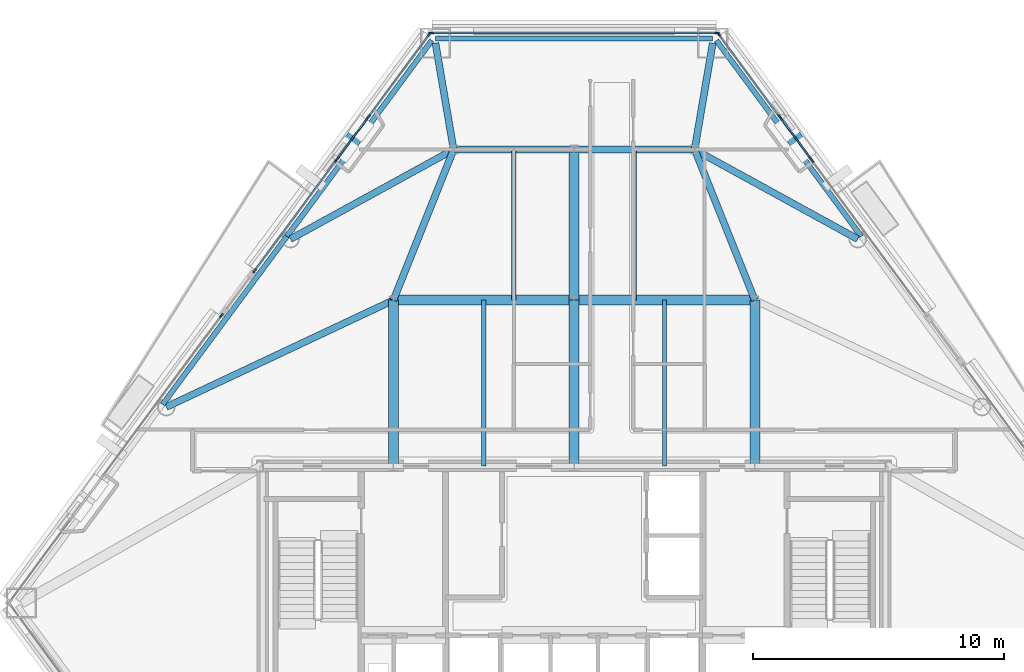
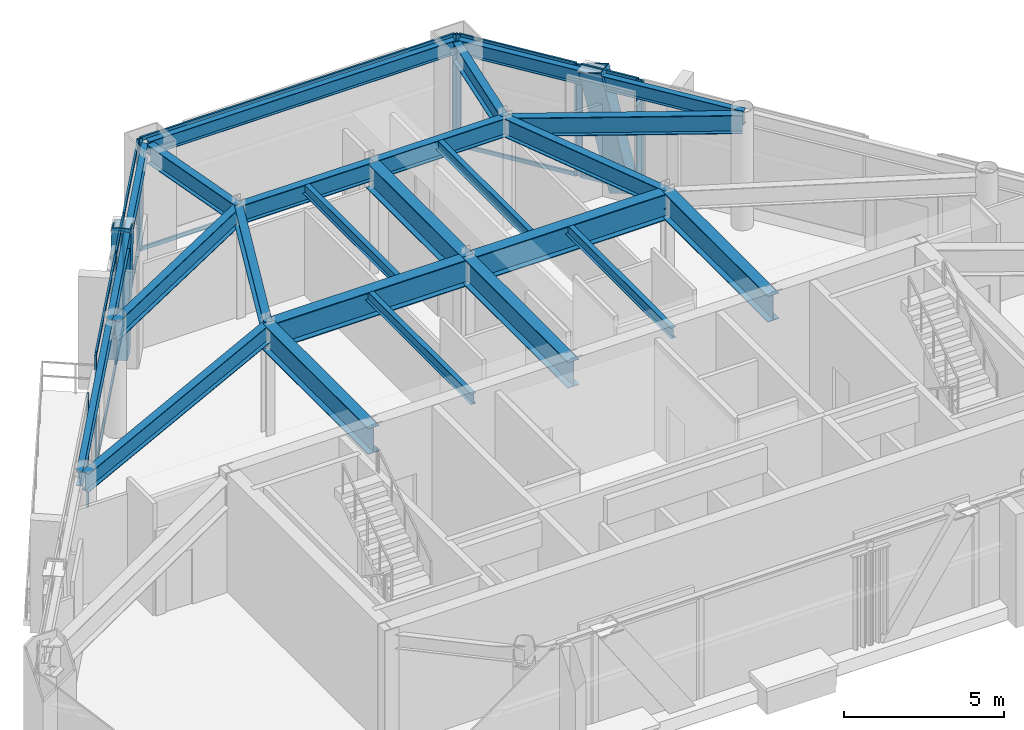
# One storey, part 4 of 11: 28 members, 23 beams, 8 elements without a shape of their own.
"""IFC4 building model written with IfcOpenShell, lengths in metres."""

from ifc_helpers import new_model, si_unit, direction, frame, origin, origin_2d, place, context, subcontext, project, spatial, rectangle, hollow_rectangle, i_section, extrude, material, layer, layer_set, material_profile, profile_set, type_object, element, aggregate, save


model = new_model("IFC4")

# Units and contexts
model_context = context("Model", 3, precision=1e-05, world=origin(), true_north=direction((0.0, 1.0)))
body_context = subcontext(model_context, "Body", "Model", "MODEL_VIEW")
ifc_project = project(units=[si_unit("LENGTHUNIT", "METRE"), si_unit("AREAUNIT", "SQUARE_METRE"), si_unit("VOLUMEUNIT", "CUBIC_METRE"), si_unit("PLANEANGLEUNIT", "RADIAN"), si_unit("MASSUNIT", "GRAM", prefix="KILO")], contexts=[model_context])

# Site, building, storey
site_placement = place(None, origin())
site = spatial("IfcSite", under=ifc_project, at=site_placement, CompositionType="ELEMENT")
building_placement = place(site_placement, origin())
building = spatial("IfcBuilding", under=site, at=building_placement, Name="Talgorran Terracotta Tower", CompositionType="ELEMENT")
storey_placement = place(building_placement, frame((0.0, 0.0, 117.60009765625)))
storey = spatial("IfcBuildingStorey", under=building, at=storey_placement, Name="L30", CompositionType="ELEMENT", Elevation=117.60009765625)

# Beams
ifc_material_1 = material(Name="Steel Grade 350 (350L0)", Category="steel")
ifc_material_profile_1 = material_profile(ifc_material_1, i_section(OverallWidth=0.39990234375, OverallDepth=1.0, WebThickness=0.01611328125, FlangeThickness=0.031005859375, at=origin_2d()), Name="1000WB296")
ifc_profile_set_1 = profile_set([ifc_material_profile_1], Name="Steel Grade 350 (350L0)")
beam_type_1 = type_object("IfcBeamType", Name="BM_1000WB296", PredefinedType="BEAM", material=ifc_profile_set_1)
for number, where, z_axis, x_axis, name in (
    (1, (-7.199951171875, -4.199951171875, 3.75), (0.0, 1.0, 0.0), (-1.0, 0.0, 0.0), "L30 Floor Girder G01"),
    (2, (0.0, -4.199951171875, 3.75), (0.0, 1.0, 0.0), (-1.0, 0.0, 0.0), "L30 Floor Girder G02"),
    (3, (7.199951171875, -4.199951171875, 3.75), (0.0, 1.0, 0.0), (-1.0, 0.0, 0.0), "L30 Floor Girder G03"),
):
    element("IfcBeam", number, at=place(storey_placement, frame(where, z_axis=z_axis, x_axis=x_axis)), inside=storey, type_object=beam_type_1, Name=name, PredefinedType="BEAM", context=body_context, shape_type="SweptSolid", body=[
        extrude(i_section(OverallWidth=0.39990234375, OverallDepth=1.0, WebThickness=0.01611328125, FlangeThickness=0.031005859375, at=origin_2d()), origin(), (0.0, 0.0, 1.0), 6.599853515625),
    ])
for number, where, z_axis, x_axis, name in (
    (4, (-7.199951171875, 2.39990234375, 3.75), (1.0, 0.0, 0.0), (0.0, 1.0, 0.0), "L30 Floor Girder G04"),
    (5, (0.0, 2.39990234375, 3.75), (1.0, 0.0, 0.0), (0.0, 1.0, 0.0), "L30 Floor Girder G05"),
):
    element("IfcBeam", number, at=place(storey_placement, frame(where, z_axis=z_axis, x_axis=x_axis)), inside=storey, type_object=beam_type_1, Name=name, PredefinedType="BEAM", context=body_context, shape_type="SweptSolid", body=[
        extrude(i_section(OverallWidth=0.39990234375, OverallDepth=1.0, WebThickness=0.01611328125, FlangeThickness=0.031005859375, at=origin_2d()), origin(), (0.0, 0.0, 1.0), 7.199951171875),
    ])
beam_1_placement = place(storey_placement, frame((0.0, 2.39990234375, 3.75), z_axis=(0.0, 1.0, 0.0), x_axis=(-1.0, 0.0, 0.0)))
element("IfcBeam", 6, at=beam_1_placement, inside=storey, type_object=beam_type_1, Name="L30 Floor Girder G09", PredefinedType="BEAM", context=body_context, shape_type="SweptSolid", body=[
    extrude(i_section(OverallWidth=0.39990234375, OverallDepth=1.0, WebThickness=0.01611328125, FlangeThickness=0.031005859375, at=origin_2d()), origin(), (0.0, 0.0, 1.0), 6.0),
])
ifc_material_2 = material(Name="Steel S355 (300PLUS)", Category="steel")
ifc_material_profile_2 = material_profile(ifc_material_2, i_section(OverallWidth=0.27490234375, OverallDepth=0.7080078125, WebThickness=0.011962890625, FlangeThickness=0.02490234375, at=origin_2d()), Name="700WB173")
ifc_profile_set_2 = profile_set([ifc_material_profile_2], Name="Steel S355 (300PLUS)")
beam_type_2 = type_object("IfcBeamType", Name="BM_700WB173", PredefinedType="BEAM", material=ifc_profile_set_2)
beam_2_placement = place(storey_placement, frame((-7.199951171875, 2.39990234375, 3.89599609375), z_axis=(-0.904850249914, -0.425729990992, 0.0), x_axis=(0.425729990992, -0.904850249914, 0.0)))
element("IfcBeam", 7, at=beam_2_placement, inside=storey, type_object=beam_type_2, Name="L30 Floor Girder G06", PredefinedType="BEAM", context=body_context, shape_type="SweptSolid", body=[
    extrude(i_section(OverallWidth=0.27490234375, OverallDepth=0.7080078125, WebThickness=0.011962890625, FlangeThickness=0.02490234375, at=origin_2d()), origin(), (0.0, 0.0, 1.0), 9.99609375),
])
for number, where, z_axis, x_axis, name in (
    (8, (-7.199951171875, 2.39990234375, 3.89599609375), (0.371377648723, 0.928481901832, 0.0), (-0.928481901832, 0.371377648723, 0.0), "L30 Floor Girder G08"),
    (9, (7.199951171875, 2.39990234375, 3.89599609375), (-0.371377648723, 0.928481901832, 0.0), (-0.928481901832, -0.371377648723, 0.0), "L30 Floor Girder G10"),
):
    element("IfcBeam", number, at=place(storey_placement, frame(where, z_axis=z_axis, x_axis=x_axis)), inside=storey, type_object=beam_type_2, Name=name, PredefinedType="BEAM", context=body_context, shape_type="SweptSolid", body=[
        extrude(i_section(OverallWidth=0.27490234375, OverallDepth=0.7080078125, WebThickness=0.011962890625, FlangeThickness=0.02490234375, at=origin_2d()), origin(), (0.0, 0.0, 1.0), 6.462158203125),
    ])
for number, where, z_axis, x_axis, name in (
    (10, (-4.800048828125, 8.39990234375, 3.89599609375), (1.0, 0.0, 0.0), (0.0, 1.0, 0.0), "L30 Floor Girder G11"),
    (11, (0.0, 8.39990234375, 3.89599609375), (1.0, 0.0, 0.0), (0.0, 1.0, 0.0), "L30 Floor Girder G12"),
):
    element("IfcBeam", number, at=place(storey_placement, frame(where, z_axis=z_axis, x_axis=x_axis)), inside=storey, type_object=beam_type_2, Name=name, PredefinedType="BEAM", context=body_context, shape_type="SweptSolid", body=[
        extrude(i_section(OverallWidth=0.27490234375, OverallDepth=0.7080078125, WebThickness=0.011962890625, FlangeThickness=0.02490234375, at=origin_2d()), origin(), (0.0, 0.0, 1.0), 4.800048828125),
    ])
for number, where, z_axis, x_axis, name in (
    (12, (-4.800048828125, 8.39990234375, 3.89599609375), (-0.876707979091, -0.481022992587, 0.0), (0.481022992587, -0.876707979091, 0.0), "L30 Floor Girder G13"),
    (13, (4.800048828125, 8.39990234375, 3.89599609375), (0.876707979091, -0.481022992587, 0.0), (0.481022992587, 0.876707979091, 0.0), "L30 Floor Girder G14"),
):
    element("IfcBeam", number, at=place(storey_placement, frame(where, z_axis=z_axis, x_axis=x_axis)), inside=storey, type_object=beam_type_2, Name=name, PredefinedType="BEAM", context=body_context, shape_type="SweptSolid", body=[
        extrude(i_section(OverallWidth=0.27490234375, OverallDepth=0.7080078125, WebThickness=0.011962890625, FlangeThickness=0.02490234375, at=origin_2d()), origin(), (0.0, 0.0, 1.0), 7.40966796875),
    ])
for number, where, z_axis, x_axis, name in (
    (14, (-4.800048828125, 8.39990234375, 3.89599609375), (-0.167884989688, 0.985806588656, 0.0), (-0.985806588656, -0.167884989688, 0.0), "L30 Floor Girder G15"),
    (15, (4.800048828125, 8.39990234375, 3.89599609375), (0.167884989688, 0.985806588656, 0.0), (-0.985806588656, 0.167884989688, 0.0), "L30 Floor Girder G16"),
):
    element("IfcBeam", number, at=place(storey_placement, frame(where, z_axis=z_axis, x_axis=x_axis)), inside=storey, type_object=beam_type_2, Name=name, PredefinedType="BEAM", context=body_context, shape_type="SweptSolid", body=[
        extrude(i_section(OverallWidth=0.27490234375, OverallDepth=0.7080078125, WebThickness=0.011962890625, FlangeThickness=0.02490234375, at=origin_2d()), origin(), (0.0, 0.0, 1.0), 4.302978515625),
    ])
ifc_material_profile_3 = material_profile(ifc_material_2, i_section(OverallWidth=0.177734375, OverallDepth=0.406494140625, WebThickness=0.0078125, FlangeThickness=0.0126953125, at=origin_2d()), Name="410UB59.7")
ifc_profile_set_3 = profile_set([ifc_material_profile_3], Name="Steel S355 (300PLUS)")
beam_type_3 = type_object("IfcBeamType", Name="BM_JS_410UB60", PredefinedType="JOIST", material=ifc_profile_set_3)
for number, where, z_axis, x_axis, name in (
    (16, (-3.60009765625, -4.199951171875, 4.046630859375), (0.0, 1.0, 0.0), (-1.0, 0.0, 0.0), "L30 Secondary Joist J01"),
    (17, (3.60009765625, -4.199951171875, 4.046630859375), (0.0, 1.0, 0.0), (-1.0, 0.0, 0.0), "L30 Secondary Joist J02"),
):
    element("IfcBeam", number, at=place(storey_placement, frame(where, z_axis=z_axis, x_axis=x_axis)), inside=storey, type_object=beam_type_3, Name=name, PredefinedType="JOIST", context=body_context, shape_type="SweptSolid", body=[
        extrude(i_section(OverallWidth=0.177734375, OverallDepth=0.406494140625, WebThickness=0.0078125, FlangeThickness=0.0126953125, at=origin_2d()), origin(), (0.0, 0.0, 1.0), 6.599853515625),
    ])
for number, where, z_axis, x_axis, name in (
    (18, (-2.39990234375, 2.39990234375, 4.046630859375), (0.0, 1.0, 0.0), (-1.0, 0.0, 0.0), "L30 Secondary Joist J03"),
    (19, (2.39990234375, 2.39990234375, 4.046630859375), (0.0, 1.0, 0.0), (-1.0, 0.0, 0.0), "L30 Secondary Joist J04"),
):
    element("IfcBeam", number, at=place(storey_placement, frame(where, z_axis=z_axis, x_axis=x_axis)), inside=storey, type_object=beam_type_3, Name=name, PredefinedType="JOIST", context=body_context, shape_type="SweptSolid", body=[
        extrude(i_section(OverallWidth=0.177734375, OverallDepth=0.406494140625, WebThickness=0.0078125, FlangeThickness=0.0126953125, at=origin_2d()), origin(), (0.0, 0.0, 1.0), 6.0),
    ])
ifc_material_profile_4 = material_profile(ifc_material_2, i_section(OverallWidth=0.209228515625, OverallDepth=0.532958984375, WebThickness=0.01025390625, FlangeThickness=0.015625, at=origin_2d()), Name="530UB92.4")
ifc_profile_set_4 = profile_set([ifc_material_profile_4], Name="Steel S355 (300PLUS)")
beam_type_4 = type_object("IfcBeamType", Name="BM_SP_530UB92", PredefinedType="SPANDREL", material=ifc_profile_set_4)
beam_3_placement = place(storey_placement, frame((11.44091796875, 4.942626953125, 3.9833984375), z_axis=(-0.594651915905, 0.803983270293, 0.0), x_axis=(-0.803983270293, -0.594651915905, 0.0)))
element("IfcBeam", 20, at=beam_3_placement, inside=storey, type_object=beam_type_4, Name="L30 Perimeter Spandrel Beam FC4-MC5", PredefinedType="SPANDREL", context=body_context, shape_type="SweptSolid", body=[
    extrude(i_section(OverallWidth=0.209228515625, OverallDepth=0.532958984375, WebThickness=0.01025390625, FlangeThickness=0.015625, at=origin_2d()), origin(), (0.0, 0.0, 1.0), 9.709228515625),
])
beam_4_placement = place(storey_placement, frame((5.5224609375, 12.822021484375, 3.9833984375), z_axis=(-1.0, 0.0, 0.0), x_axis=(0.0, -1.0, 0.0)))
element("IfcBeam", 21, at=beam_4_placement, inside=storey, type_object=beam_type_4, Name="L30 Perimeter Spandrel Beam MC5-MC6", PredefinedType="SPANDREL", context=body_context, shape_type="SweptSolid", body=[
    extrude(i_section(OverallWidth=0.209228515625, OverallDepth=0.532958984375, WebThickness=0.01025390625, FlangeThickness=0.015625, at=origin_2d()), origin(), (0.0, 0.0, 1.0), 11.044921875),
])
beam_5_placement = place(storey_placement, frame((-5.667236328125, 12.748779296875, 3.9833984375), z_axis=(-0.594651915905, -0.803983270293, 0.0), x_axis=(0.803983270293, -0.594651915905, 0.0)))
element("IfcBeam", 22, at=beam_5_placement, inside=storey, type_object=beam_type_4, Name="L30 Perimeter Spandrel Beam MC6-FC5", PredefinedType="SPANDREL", context=body_context, shape_type="SweptSolid", body=[
    extrude(i_section(OverallWidth=0.209228515625, OverallDepth=0.532958984375, WebThickness=0.01025390625, FlangeThickness=0.015625, at=origin_2d()), origin(), (0.0, 0.0, 1.0), 9.709228515625),
])
beam_6_placement = place(storey_placement, frame((-11.44091796875, 4.942626953125, 3.9833984375), z_axis=(-0.594631062308, -0.803998693866, 0.0), x_axis=(0.803998693866, -0.594631062308, 0.0)))
element("IfcBeam", 23, at=beam_6_placement, inside=storey, type_object=beam_type_4, Name="L30 Perimeter Spandrel Beam FC5-FC6", PredefinedType="SPANDREL", context=body_context, shape_type="SweptSolid", body=[
    extrude(i_section(OverallWidth=0.209228515625, OverallDepth=0.532958984375, WebThickness=0.01025390625, FlangeThickness=0.015625, at=origin_2d()), origin(), (0.0, 0.0, 1.0), 8.322265625),
])

# Members
ifc_material_profile_5 = material_profile(ifc_material_1, hollow_rectangle(XDim=0.6201171875, YDim=0.780029296875, WallThickness=0.0419921875, at=origin_2d()), Name="WBOX780X620X42")
ifc_profile_set_5 = profile_set([ifc_material_profile_5], Name="Steel Grade 350 (350L0)")
member_type_1 = type_object("IfcMemberType", Name="MB_MEGA_780", PredefinedType="BRACE", material=ifc_profile_set_5)
for number, where, z_axis, x_axis, name in (
    (24, (9.106689453125, 8.401123046875, -0.025146484375), (-0.140147963335, 0.189530808683, 0.971821290636), (-0.804054507608, -0.594555589323, 0.0), "L30 Exterior Face Mega-Brace MB-2 (NEU)"),
    (25, (-9.106689453125, 8.401123046875, -0.025146484375), (0.140147963335, 0.189530808683, 0.971821290636), (-0.804054507608, 0.594555589323, 0.0), "L30 Exterior Face Mega-Brace MB-2 (NWU)"),
):
    element("IfcMember", number, at=place(storey_placement, frame(where, z_axis=z_axis, x_axis=x_axis)), inside=storey, type_object=member_type_1, Name=name, PredefinedType="BRACE", context=body_context, shape_type="SweptSolid", body=[
        extrude(hollow_rectangle(XDim=0.6201171875, YDim=0.780029296875, WallThickness=0.0419921875, at=origin_2d()), origin(), (0.0, 0.0, 1.0), 4.4248046875),
    ])

# Curtain wall, member
ifc_material_3 = material(Name="Unitised Low-E Double Glazing", Category="glass")
ifc_layer = layer(ifc_material_3, 0.199951171875, Name="CW_SYS2_RES_LOW")
ifc_layer_set = layer_set([ifc_layer], Name="Unitised Low-E Double Glazing")
curtain_wall_type = type_object("IfcCurtainWallType", Name="CW_SYS2_RES_LOW", PredefinedType="NOTDEFINED", material=ifc_layer_set)
curtain_wall_1_placement = place(storey_placement, origin())
curtain_wall_1 = element("IfcCurtainWall", 26, at=curtain_wall_1_placement, inside=storey, type_object=curtain_wall_type, Name="CW-L30-F41", PredefinedType="NOTDEFINED")
ifc_material_4 = material(Name="Architectural Aluminium 6063-T6", Category="aluminium")
ifc_material_profile_6 = material_profile(ifc_material_4, rectangle(XDim=0.06494140625, YDim=0.18505859375, at=origin_2d()), Name="CWM65X185")
ifc_profile_set_6 = profile_set([ifc_material_profile_6], Name="Architectural Aluminium 6063-T6")
member_type_2 = type_object("IfcMemberType", Name="MUL_65X185", PredefinedType="MULLION", material=ifc_profile_set_6)
member_1_placement = place(storey_placement, frame((9.475830078125, 7.969482421875, 0.0), z_axis=(0.0, 0.0, 1.0), x_axis=(-0.803994229875, -0.594637098009, 0.0)))
member_1 = element("IfcMember", 27, at=member_1_placement, type_object=member_type_2, Name="CW-L30-41 mullion 2", PredefinedType="MULLION", context=body_context, shape_type="SweptSolid", body=[
    extrude(rectangle(XDim=0.06494140625, YDim=0.18505859375, at=origin_2d()), origin(), (0.0, 0.0, 1.0), 4.25),
])
aggregate(curtain_wall_1, [member_1])

# Curtain wall, members
curtain_wall_2_placement = place(storey_placement, origin())
curtain_wall_2 = element("IfcCurtainWall", 28, at=curtain_wall_2_placement, inside=storey, type_object=curtain_wall_type, Name="CW-L30-F41B", PredefinedType="NOTDEFINED")
member_2_placement = place(storey_placement, frame((9.43115234375, 8.02978515625, 0.0), z_axis=(0.0, 0.0, 1.0), x_axis=(-0.803999196065, -0.594630383286, 0.0)))
member_2 = element("IfcMember", 29, at=member_2_placement, type_object=member_type_2, Name="CW-L30-41B mullion 1", PredefinedType="MULLION", context=body_context, shape_type="SweptSolid", body=[
    extrude(rectangle(XDim=0.06494140625, YDim=0.18505859375, at=origin_2d()), origin(), (0.0, 0.0, 1.0), 4.25),
])
member_3_placement = place(storey_placement, frame((8.226318359375, 9.65869140625, 0.0), z_axis=(0.0, 0.0, 1.0), x_axis=(-0.803999196065, -0.594630383286, 0.0)))
member_3 = element("IfcMember", 30, at=member_3_placement, type_object=member_type_2, Name="CW-L30-41B mullion 2", PredefinedType="MULLION", context=body_context, shape_type="SweptSolid", body=[
    extrude(rectangle(XDim=0.06494140625, YDim=0.18505859375, at=origin_2d()), origin(), (0.0, 0.0, 1.0), 4.25),
])

curtain_wall_3_placement = place(storey_placement, origin())
curtain_wall_3 = element("IfcCurtainWall", 31, at=curtain_wall_3_placement, inside=storey, type_object=curtain_wall_type, Name="CW-L30-F41C", PredefinedType="NOTDEFINED")
member_4_placement = place(storey_placement, frame((8.181884765625, 9.718994140625, 0.0), z_axis=(0.0, 0.0, 1.0), x_axis=(-0.803996259569, -0.594634353699, 0.0)))
member_4 = element("IfcMember", 32, at=member_4_placement, type_object=member_type_2, Name="CW-L30-41C mullion 1", PredefinedType="MULLION", context=body_context, shape_type="SweptSolid", body=[
    extrude(rectangle(XDim=0.06494140625, YDim=0.18505859375, at=origin_2d()), origin(), (0.0, 0.0, 1.0), 4.25),
])
member_5_placement = place(storey_placement, frame((5.767333984375, 12.983642578125, 0.0), z_axis=(0.0, 0.0, 1.0), x_axis=(-0.803996259569, -0.594634353699, 0.0)))
member_5 = element("IfcMember", 33, at=member_5_placement, type_object=member_type_2, Name="CW-L30-41C mullion 2", PredefinedType="MULLION", context=body_context, shape_type="SweptSolid", body=[
    extrude(rectangle(XDim=0.06494140625, YDim=0.18505859375, at=origin_2d()), origin(), (0.0, 0.0, 1.0), 4.25),
])

curtain_wall_4_placement = place(storey_placement, origin())
curtain_wall_4 = element("IfcCurtainWall", 34, at=curtain_wall_4_placement, inside=storey, type_object=curtain_wall_type, Name="CW-L30-F4", PredefinedType="NOTDEFINED")
member_6_placement = place(storey_placement, frame((5.691650390625, 13.0419921875, 0.0), z_axis=(0.0, 0.0, 1.0), x_axis=(0.0, -1.0, 0.0)))
member_6 = element("IfcMember", 35, at=member_6_placement, type_object=member_type_2, Name="CW-L30-4 mullion 1", PredefinedType="MULLION", context=body_context, shape_type="SweptSolid", body=[
    extrude(rectangle(XDim=0.06494140625, YDim=0.18505859375, at=origin_2d()), origin(), (0.0, 0.0, 1.0), 4.25),
])
member_7_placement = place(storey_placement, frame((-5.691650390625, 13.0419921875, 0.0), z_axis=(0.0, 0.0, 1.0), x_axis=(0.0, -1.0, 0.0)))
member_7 = element("IfcMember", 36, at=member_7_placement, type_object=member_type_2, Name="CW-L30-4 mullion 2", PredefinedType="MULLION", context=body_context, shape_type="SweptSolid", body=[
    extrude(rectangle(XDim=0.06494140625, YDim=0.18505859375, at=origin_2d()), origin(), (0.0, 0.0, 1.0), 4.25),
])

curtain_wall_5_placement = place(storey_placement, origin())
curtain_wall_5 = element("IfcCurtainWall", 37, at=curtain_wall_5_placement, inside=storey, type_object=curtain_wall_type, Name="CW-L30-F60", PredefinedType="NOTDEFINED")
member_8_placement = place(storey_placement, frame((-5.767333984375, 12.983642578125, 0.0), z_axis=(0.0, 0.0, 1.0), x_axis=(0.803996259569, -0.594634353699, 0.0)))
member_8 = element("IfcMember", 38, at=member_8_placement, type_object=member_type_2, Name="CW-L30-60 mullion 1", PredefinedType="MULLION", context=body_context, shape_type="SweptSolid", body=[
    extrude(rectangle(XDim=0.06494140625, YDim=0.18505859375, at=origin_2d()), origin(), (0.0, 0.0, 1.0), 4.25),
])
member_9_placement = place(storey_placement, frame((-8.181884765625, 9.718994140625, 0.0), z_axis=(0.0, 0.0, 1.0), x_axis=(0.803996259569, -0.594634353699, 0.0)))
member_9 = element("IfcMember", 39, at=member_9_placement, type_object=member_type_2, Name="CW-L30-60 mullion 2", PredefinedType="MULLION", context=body_context, shape_type="SweptSolid", body=[
    extrude(rectangle(XDim=0.06494140625, YDim=0.18505859375, at=origin_2d()), origin(), (0.0, 0.0, 1.0), 4.25),
])

curtain_wall_6_placement = place(storey_placement, origin())
curtain_wall_6 = element("IfcCurtainWall", 40, at=curtain_wall_6_placement, inside=storey, type_object=curtain_wall_type, Name="CW-L30-F60B", PredefinedType="NOTDEFINED")
member_10_placement = place(storey_placement, frame((-8.226318359375, 9.65869140625, 0.0), z_axis=(0.0, 0.0, 1.0), x_axis=(0.803999196065, -0.594630383286, 0.0)))
member_10 = element("IfcMember", 41, at=member_10_placement, type_object=member_type_2, Name="CW-L30-60B mullion 1", PredefinedType="MULLION", context=body_context, shape_type="SweptSolid", body=[
    extrude(rectangle(XDim=0.06494140625, YDim=0.18505859375, at=origin_2d()), origin(), (0.0, 0.0, 1.0), 4.25),
])
member_11_placement = place(storey_placement, frame((-9.43115234375, 8.02978515625, 0.0), z_axis=(0.0, 0.0, 1.0), x_axis=(0.803999196065, -0.594630383286, 0.0)))
member_11 = element("IfcMember", 42, at=member_11_placement, type_object=member_type_2, Name="CW-L30-60B mullion 2", PredefinedType="MULLION", context=body_context, shape_type="SweptSolid", body=[
    extrude(rectangle(XDim=0.06494140625, YDim=0.18505859375, at=origin_2d()), origin(), (0.0, 0.0, 1.0), 4.25),
])

curtain_wall_7_placement = place(storey_placement, origin())
curtain_wall_7 = element("IfcCurtainWall", 43, at=curtain_wall_7_placement, inside=storey, type_object=curtain_wall_type, Name="CW-L30-F60C", PredefinedType="NOTDEFINED")
member_12_placement = place(storey_placement, frame((-9.475830078125, 7.969482421875, 0.0), z_axis=(0.0, 0.0, 1.0), x_axis=(0.803998362057, -0.594631510945, 0.0)))
member_12 = element("IfcMember", 44, at=member_12_placement, type_object=member_type_2, Name="CW-L30-60C mullion 1", PredefinedType="MULLION", context=body_context, shape_type="SweptSolid", body=[
    extrude(rectangle(XDim=0.06494140625, YDim=0.18505859375, at=origin_2d()), origin(), (0.0, 0.0, 1.0), 4.25),
])
member_13_placement = place(storey_placement, frame((-12.725830078125, 3.5751953125, 0.0), z_axis=(0.0, 0.0, 1.0), x_axis=(0.803998362057, -0.594631510945, 0.0)))
member_13 = element("IfcMember", 45, at=member_13_placement, type_object=member_type_2, Name="CW-L30-60C mullion 2", PredefinedType="MULLION", context=body_context, shape_type="SweptSolid", body=[
    extrude(rectangle(XDim=0.06494140625, YDim=0.18505859375, at=origin_2d()), origin(), (0.0, 0.0, 1.0), 4.25),
])

# Curtain wall, member
curtain_wall_8_placement = place(storey_placement, origin())
curtain_wall_8 = element("IfcCurtainWall", 46, at=curtain_wall_8_placement, inside=storey, type_object=curtain_wall_type, Name="CW-L30-F61", PredefinedType="NOTDEFINED")
member_14_placement = place(storey_placement, frame((-14.048828125, 1.786376953125, 0.0), z_axis=(0.0, 0.0, 1.0), x_axis=(0.803995755441, -0.594635035322, 0.0)))
member_14 = element("IfcMember", 47, at=member_14_placement, type_object=member_type_2, Name="CW-L30-61 mullion 1", PredefinedType="MULLION", context=body_context, shape_type="SweptSolid", body=[
    extrude(rectangle(XDim=0.06494140625, YDim=0.18505859375, at=origin_2d()), origin(), (0.0, 0.0, 1.0), 4.25),
])
aggregate(curtain_wall_8, [member_14])

# Member
ifc_material_profile_7 = material_profile(ifc_material_4, rectangle(XDim=0.06494140625, YDim=0.14990234375, at=origin_2d()), Name="CWT65X150")
ifc_profile_set_7 = profile_set([ifc_material_profile_7], Name="Architectural Aluminium 6063-T6")
member_type_3 = type_object("IfcMemberType", Name="TRN_65X150", PredefinedType="USERDEFINED", material=ifc_profile_set_7)
member_15_placement = place(storey_placement, frame((9.411865234375, 8.055908203125, 0.032470703125), z_axis=(-0.594608075901, 0.804015693922, 0.0), x_axis=(-0.804015693922, -0.594608075901, 0.0)))
member_15 = element("IfcMember", 48, at=member_15_placement, type_object=member_type_3, Name="CW-L30-41B transom 1.1", ObjectType="TRANSOM", PredefinedType="USERDEFINED", context=body_context, shape_type="SweptSolid", body=[
    extrude(rectangle(XDim=0.06494140625, YDim=0.14990234375, at=origin_2d()), origin(), (0.0, 0.0, 1.0), 1.9609375),
])

member_16_placement = place(storey_placement, frame((9.411865234375, 8.055908203125, 4.21728515625), z_axis=(-0.594608075901, 0.804015693922, 0.0), x_axis=(-0.804015693922, -0.594608075901, 0.0)))
member_16 = element("IfcMember", 49, at=member_16_placement, type_object=member_type_3, Name="CW-L30-41B transom 1.2", ObjectType="TRANSOM", PredefinedType="USERDEFINED", context=body_context, shape_type="SweptSolid", body=[
    extrude(rectangle(XDim=0.06494140625, YDim=0.14990234375, at=origin_2d()), origin(), (0.0, 0.0, 1.0), 1.9609375),
])

aggregate(curtain_wall_2, [member_2, member_3, member_15, member_16])

member_17_placement = place(storey_placement, frame((8.162353515625, 9.7451171875, 0.032470703125), z_axis=(-0.594609238042, 0.804014834462, 0.0), x_axis=(-0.804014834462, -0.594609238042, 0.0)))
member_17 = element("IfcMember", 50, at=member_17_placement, type_object=member_type_3, Name="CW-L30-41C transom 1.1", ObjectType="TRANSOM", PredefinedType="USERDEFINED", context=body_context, shape_type="SweptSolid", body=[
    extrude(rectangle(XDim=0.06494140625, YDim=0.14990234375, at=origin_2d()), origin(), (0.0, 0.0, 1.0), 3.995361328125),
])

member_18_placement = place(storey_placement, frame((8.162353515625, 9.7451171875, 4.21728515625), z_axis=(-0.594609238042, 0.804014834462, 0.0), x_axis=(-0.804014834462, -0.594609238042, 0.0)))
member_18 = element("IfcMember", 51, at=member_18_placement, type_object=member_type_3, Name="CW-L30-41C transom 1.2", ObjectType="TRANSOM", PredefinedType="USERDEFINED", context=body_context, shape_type="SweptSolid", body=[
    extrude(rectangle(XDim=0.06494140625, YDim=0.14990234375, at=origin_2d()), origin(), (0.0, 0.0, 1.0), 3.995361328125),
])

aggregate(curtain_wall_3, [member_4, member_5, member_17, member_18])

member_19_placement = place(storey_placement, frame((5.6591796875, 13.0419921875, 0.032470703125), z_axis=(-1.0, 0.0, 0.0), x_axis=(0.0, -1.0, 0.0)))
member_19 = element("IfcMember", 52, at=member_19_placement, type_object=member_type_3, Name="CW-L30-4 transom 1.1", ObjectType="TRANSOM", PredefinedType="USERDEFINED", context=body_context, shape_type="SweptSolid", body=[
    extrude(rectangle(XDim=0.06494140625, YDim=0.14990234375, at=origin_2d()), origin(), (0.0, 0.0, 1.0), 11.318359375),
])

member_20_placement = place(storey_placement, frame((5.6591796875, 13.0419921875, 4.21728515625), z_axis=(-1.0, 0.0, 0.0), x_axis=(0.0, -1.0, 0.0)))
member_20 = element("IfcMember", 53, at=member_20_placement, type_object=member_type_3, Name="CW-L30-4 transom 1.2", ObjectType="TRANSOM", PredefinedType="USERDEFINED", context=body_context, shape_type="SweptSolid", body=[
    extrude(rectangle(XDim=0.06494140625, YDim=0.14990234375, at=origin_2d()), origin(), (0.0, 0.0, 1.0), 11.318359375),
])

aggregate(curtain_wall_4, [member_6, member_7, member_19, member_20])

member_21_placement = place(storey_placement, frame((-5.78662109375, 12.95751953125, 0.032470703125), z_axis=(-0.594609238042, -0.804014834462, 0.0), x_axis=(0.804014834462, -0.594609238042, 0.0)))
member_21 = element("IfcMember", 54, at=member_21_placement, type_object=member_type_3, Name="CW-L30-60 transom 1.1", ObjectType="TRANSOM", PredefinedType="USERDEFINED", context=body_context, shape_type="SweptSolid", body=[
    extrude(rectangle(XDim=0.06494140625, YDim=0.14990234375, at=origin_2d()), origin(), (0.0, 0.0, 1.0), 3.995361328125),
])

member_22_placement = place(storey_placement, frame((-5.78662109375, 12.95751953125, 4.21728515625), z_axis=(-0.594609238042, -0.804014834462, 0.0), x_axis=(0.804014834462, -0.594609238042, 0.0)))
member_22 = element("IfcMember", 55, at=member_22_placement, type_object=member_type_3, Name="CW-L30-60 transom 1.2", ObjectType="TRANSOM", PredefinedType="USERDEFINED", context=body_context, shape_type="SweptSolid", body=[
    extrude(rectangle(XDim=0.06494140625, YDim=0.14990234375, at=origin_2d()), origin(), (0.0, 0.0, 1.0), 3.995361328125),
])

aggregate(curtain_wall_5, [member_8, member_9, member_21, member_22])

member_23_placement = place(storey_placement, frame((-8.245849609375, 9.632568359375, 0.032470703125), z_axis=(-0.594608075901, -0.804015693922, 0.0), x_axis=(0.804015693922, -0.594608075901, 0.0)))
member_23 = element("IfcMember", 56, at=member_23_placement, type_object=member_type_3, Name="CW-L30-60B transom 1.1", ObjectType="TRANSOM", PredefinedType="USERDEFINED", context=body_context, shape_type="SweptSolid", body=[
    extrude(rectangle(XDim=0.06494140625, YDim=0.14990234375, at=origin_2d()), origin(), (0.0, 0.0, 1.0), 1.9609375),
])

member_24_placement = place(storey_placement, frame((-8.245849609375, 9.632568359375, 4.21728515625), z_axis=(-0.594608075901, -0.804015693922, 0.0), x_axis=(0.804015693922, -0.594608075901, 0.0)))
member_24 = element("IfcMember", 57, at=member_24_placement, type_object=member_type_3, Name="CW-L30-60B transom 1.2", ObjectType="TRANSOM", PredefinedType="USERDEFINED", context=body_context, shape_type="SweptSolid", body=[
    extrude(rectangle(XDim=0.06494140625, YDim=0.14990234375, at=origin_2d()), origin(), (0.0, 0.0, 1.0), 1.9609375),
])

aggregate(curtain_wall_6, [member_10, member_11, member_23, member_24])

member_25_placement = place(storey_placement, frame((-9.4951171875, 7.943359375, 0.032470703125), z_axis=(-0.594641434439, -0.803991022617, 0.0), x_axis=(0.803991022617, -0.594641434439, 0.0)))
member_25 = element("IfcMember", 58, at=member_25_placement, type_object=member_type_3, Name="CW-L30-60C transom 1.1", ObjectType="TRANSOM", PredefinedType="USERDEFINED", context=body_context, shape_type="SweptSolid", body=[
    extrude(rectangle(XDim=0.06494140625, YDim=0.14990234375, at=origin_2d()), origin(), (0.0, 0.0, 1.0), 5.400634765625),
])

member_26_placement = place(storey_placement, frame((-9.4951171875, 7.943359375, 4.21728515625), z_axis=(-0.594641434439, -0.803991022617, 0.0), x_axis=(0.803991022617, -0.594641434439, 0.0)))
member_26 = element("IfcMember", 59, at=member_26_placement, type_object=member_type_3, Name="CW-L30-60C transom 1.2", ObjectType="TRANSOM", PredefinedType="USERDEFINED", context=body_context, shape_type="SweptSolid", body=[
    extrude(rectangle(XDim=0.06494140625, YDim=0.14990234375, at=origin_2d()), origin(), (0.0, 0.0, 1.0), 5.400634765625),
])

aggregate(curtain_wall_7, [member_12, member_13, member_25, member_26])

save(model, "model.ifc")
